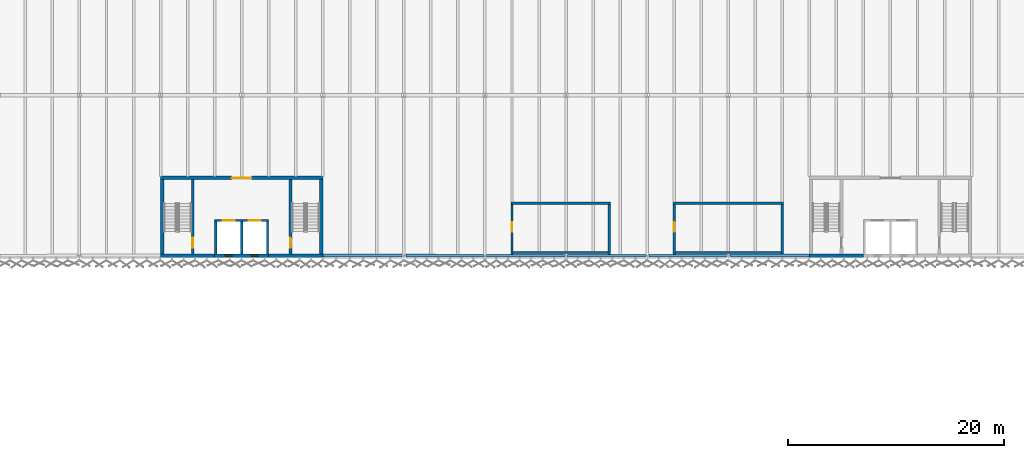
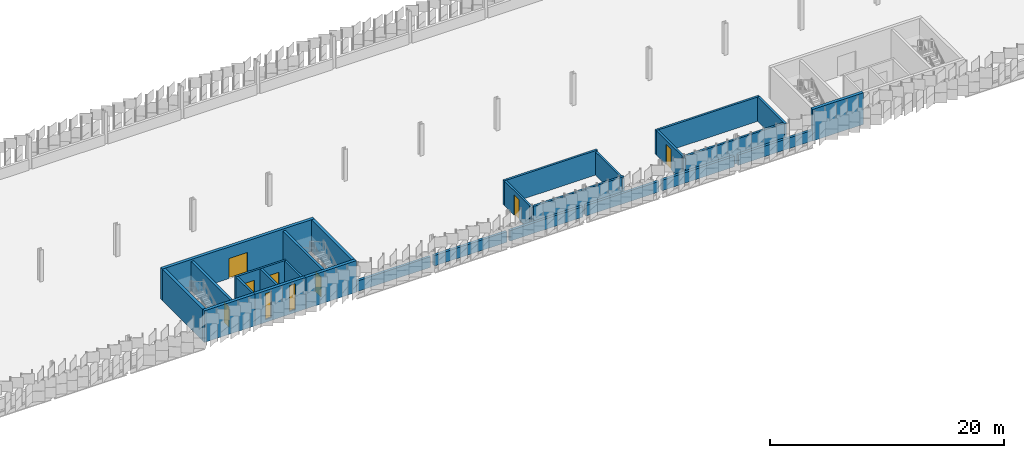
# One storey, part 50 of 198: 27 walls, 7 doors, 2 windows, 9 openings.
"""IFC4 building model written with IfcOpenShell, lengths in metres."""

from ifc_helpers import new_model, si_unit, direction, frame, frame_2d, origin, place, context, subcontext, project, spatial, rectangle, extrude, material, layer, layer_set, type_object, element, fill, save


model = new_model("IFC4")

# Units and contexts
model_context = context("Model", 3, precision=1e-05, world=origin(), true_north=direction((0.0, 1.0)))
body_context = subcontext(model_context, "Body", "Model", "MODEL_VIEW")
ifc_project = project(units=[si_unit("LENGTHUNIT", "METRE"), si_unit("AREAUNIT", "SQUARE_METRE"), si_unit("VOLUMEUNIT", "CUBIC_METRE"), si_unit("PLANEANGLEUNIT", "RADIAN"), si_unit("MASSUNIT", "GRAM", prefix="KILO")], contexts=[model_context])

# Site, building, storey
site_placement = place(None, origin())
site = spatial("IfcSite", under=ifc_project, at=site_placement, CompositionType="ELEMENT")
building_placement = place(site_placement, origin())
building = spatial("IfcBuilding", under=site, at=building_placement, Name="Parallax Yard Mobility Hub", CompositionType="ELEMENT")
storey_placement = place(building_placement, frame((0.0, 0.0, 6.60009765625)))
storey = spatial("IfcBuildingStorey", under=building, at=storey_placement, Name="L02", CompositionType="ELEMENT", Elevation=6.60009765625)

# Wall, opening, door
ifc_material_1 = material(Name="Concrete fc' 35 MPa", Category="concrete")
ifc_layer_1 = layer(ifc_material_1, 0.300048828125)
ifc_layer_set_1 = layer_set([ifc_layer_1], Name="Concrete fc' 35 MPa core wall 300")
wall_type_1 = type_object("IfcWallType", Name="Concrete fc' 35 MPa core wall 300", PredefinedType="SHEAR", material=ifc_layer_set_1)
wall_1_placement = place(storey_placement, frame((67.5, 119.85009765625, 0.0), z_axis=(0.0, 0.0, 1.0), x_axis=(1.0, 0.0, 0.0)))
wall_1 = element("IfcWall", 1, at=wall_1_placement, inside=storey, type_object=wall_type_1, Name="Core C-N1 entry wall level L02", PredefinedType="SHEAR", context=body_context, shape_type="SweptSolid", body=[
    extrude(rectangle(XDim=15.0, YDim=0.300048828125, at=frame_2d((7.5, 0.0))), origin(), (0.0, 0.0, 1.0), 3.2998046875),
])
opening_1_placement = place(wall_1_placement, frame((6.60009765625, 0.0, 0.0)))
opening_1 = element("IfcOpeningElement", 2, at=opening_1_placement, cuts=wall_1, Name="Opening L02-D709", PredefinedType="OPENING", context=body_context, shape_type="SweptSolid", body=[
    extrude(rectangle(XDim=1.800048828125, YDim=2.10009765625, at=frame_2d((0.89990234375, 1.050048828125))), frame((0.0, 0.16015625, 0.0), z_axis=(0.0, -1.0, 0.0), x_axis=(1.0, 0.0, 0.0)), (0.0, 0.0, 1.0), 0.320068359375),
])
ifc_material_2 = material(Name="Hollow metal steel door and frame", Category="steel")
door_type_1 = type_object("IfcDoorType", Name="Core double door 1800 x 2100 FD90", OperationType="NOTDEFINED", PredefinedType="DOOR", material=ifc_material_2)
door_1_placement = place(opening_1_placement, origin())
door_1 = element("IfcDoor", 3, at=door_1_placement, inside=storey, type_object=door_type_1, Name="Lift lobby door L02-D709, core C-N1 level L02", OperationType="DOUBLE_DOOR_SINGLE_SWING", OverallHeight=2.10009765625, OverallWidth=1.800048828125, PredefinedType="DOOR", context=body_context, shape_type="SweptSolid", body=[
    extrude(rectangle(XDim=1.800048828125, YDim=2.10009765625, at=frame_2d((0.89990234375, 1.050048828125))), frame((0.0, 0.02490234375, 0.0), z_axis=(0.0, -1.0, 0.0), x_axis=(1.0, 0.0, 0.0)), (0.0, 0.0, 1.0), 0.050048828125),
])
fill(opening_1, door_1)

# Wall
wall_2_placement = place(storey_placement, frame((82.5, 112.64990234375, 0.0), z_axis=(0.0, 0.0, 1.0), x_axis=(-1.0, 0.0, 0.0)))
element("IfcWall", 4, at=wall_2_placement, inside=storey, type_object=wall_type_1, Name="Core C-N1 back wall part 1 level L02", PredefinedType="SHEAR", context=body_context, shape_type="SweptSolid", body=[
    extrude(rectangle(XDim=5.0, YDim=0.300048828125, at=frame_2d((2.5, 0.0))), origin(), (0.0, 0.0, 1.0), 3.2998046875),
])

# Wall, openings, windows
wall_3_placement = place(storey_placement, frame((77.5, 112.64990234375, 0.0), z_axis=(0.0, 0.0, 1.0), x_axis=(-1.0, 0.0, 0.0)))
wall_3 = element("IfcWall", 5, at=wall_3_placement, inside=storey, type_object=wall_type_1, Name="Core C-N1 back wall part 2 level L02", PredefinedType="SHEAR", context=body_context, shape_type="SweptSolid", body=[
    extrude(rectangle(XDim=5.0, YDim=0.300048828125, at=frame_2d((2.5, 0.0))), origin(), (0.0, 0.0, 1.0), 3.2998046875),
])
opening_2_placement = place(wall_3_placement, frame((1.0, 0.0, 0.300048828125)))
opening_2 = element("IfcOpeningElement", 6, at=opening_2_placement, cuts=wall_3, Name="Opening CW-S1", PredefinedType="OPENING", context=body_context, shape_type="SweptSolid", body=[
    extrude(rectangle(XDim=0.60009765625, YDim=2.699951171875, at=frame_2d((0.300048828125, 1.35009765625))), frame((0.0, 0.16015625, 0.0), z_axis=(0.0, -1.0, 0.0), x_axis=(1.0, 0.0, 0.0)), (0.0, 0.0, 1.0), 0.320068359375),
])
opening_3_placement = place(wall_3_placement, frame((3.39990234375, 0.0, 0.300048828125)))
opening_3 = element("IfcOpeningElement", 7, at=opening_3_placement, cuts=wall_3, Name="Opening CW-S1", PredefinedType="OPENING", context=body_context, shape_type="SweptSolid", body=[
    extrude(rectangle(XDim=0.60009765625, YDim=2.699951171875, at=frame_2d((0.300048828125, 1.35009765625))), frame((0.0, 0.16015625, 0.0), z_axis=(0.0, -1.0, 0.0), x_axis=(1.0, 0.0, 0.0)), (0.0, 0.0, 1.0), 0.320068359375),
])
ifc_material_3 = material(Name="Fire-resisting glazing in a steel frame", Category="steel")
window_type = type_object("IfcWindowType", Name="Core slot window 600 x 2700", PartitioningType="SINGLE_PANEL", PredefinedType="WINDOW", material=ifc_material_3)
window_1_placement = place(opening_2_placement, origin())
window_1 = element("IfcWindow", 8, at=window_1_placement, inside=storey, type_object=window_type, Name="Glazed slot 1, core C-N1 level L02", OverallHeight=2.699951171875, OverallWidth=0.60009765625, PartitioningType="SINGLE_PANEL", PredefinedType="WINDOW", context=body_context, shape_type="SweptSolid", body=[
    extrude(rectangle(XDim=0.60009765625, YDim=2.699951171875, at=frame_2d((0.300048828125, 1.35009765625))), frame((0.0, 0.030029296875, 0.0), z_axis=(0.0, -1.0, 0.0), x_axis=(1.0, 0.0, 0.0)), (0.0, 0.0, 1.0), 0.06005859375),
])
fill(opening_2, window_1)
window_2_placement = place(opening_3_placement, origin())
window_2 = element("IfcWindow", 9, at=window_2_placement, inside=storey, type_object=window_type, Name="Glazed slot 2, core C-N1 level L02", OverallHeight=2.699951171875, OverallWidth=0.60009765625, PartitioningType="SINGLE_PANEL", PredefinedType="WINDOW", context=body_context, shape_type="SweptSolid", body=[
    extrude(rectangle(XDim=0.60009765625, YDim=2.699951171875, at=frame_2d((0.300048828125, 1.35009765625))), frame((0.0, 0.030029296875, 0.0), z_axis=(0.0, -1.0, 0.0), x_axis=(1.0, 0.0, 0.0)), (0.0, 0.0, 1.0), 0.06005859375),
])
fill(opening_3, window_2)

# Walls
wall_4_placement = place(storey_placement, frame((72.5, 112.64990234375, 0.0), z_axis=(0.0, 0.0, 1.0), x_axis=(-1.0, 0.0, 0.0)))
element("IfcWall", 10, at=wall_4_placement, inside=storey, type_object=wall_type_1, Name="Core C-N1 back wall part 3 level L02", PredefinedType="SHEAR", context=body_context, shape_type="SweptSolid", body=[
    extrude(rectangle(XDim=5.0, YDim=0.300048828125, at=frame_2d((2.5, 0.0))), origin(), (0.0, 0.0, 1.0), 3.2998046875),
])
for number, where, z_axis, x_axis, name in (
    (11, (82.35009765625, 119.699951171875, 0.0), (0.0, 0.0, 1.0), (0.0, -1.0, 0.0), "Core C-N1 west-side end wall level L02"),
    (12, (67.64990234375, 119.699951171875, 0.0), (0.0, 0.0, 1.0), (0.0, -1.0, 0.0), "Core C-N1 east-side end wall level L02"),
):
    element("IfcWall", number, at=place(storey_placement, frame(where, z_axis=z_axis, x_axis=x_axis)), inside=storey, type_object=wall_type_1, Name=name, PredefinedType="SHEAR", context=body_context, shape_type="SweptSolid", body=[
        extrude(rectangle(XDim=6.89990234375, YDim=0.300048828125, at=frame_2d((3.449951171875, 0.0))), origin(), (0.0, 0.0, 1.0), 3.2998046875),
    ])
wall_5_placement = place(storey_placement, frame((132.5, 112.64990234375, 0.0), z_axis=(0.0, 0.0, 1.0), x_axis=(-1.0, 0.0, 0.0)))
element("IfcWall", 13, at=wall_5_placement, inside=storey, type_object=wall_type_1, Name="Core C-N2 back wall part 3 level L02", PredefinedType="SHEAR", context=body_context, shape_type="SweptSolid", body=[
    extrude(rectangle(XDim=5.0, YDim=0.300048828125, at=frame_2d((2.5, 0.0))), origin(), (0.0, 0.0, 1.0), 3.2998046875),
])

# Wall, openings, doors
ifc_layer_2 = layer(ifc_material_1, 0.199951171875)
ifc_layer_set_2 = layer_set([ifc_layer_2], Name="Concrete fc' 35 MPa internal core wall 200")
wall_type_2 = type_object("IfcWallType", Name="Concrete fc' 35 MPa internal core wall 200", PredefinedType="STANDARD", material=ifc_layer_set_2)
wall_6_placement = place(storey_placement, frame((77.5, 115.89990234375, 0.0), z_axis=(0.0, 0.0, 1.0), x_axis=(-1.0, 0.0, 0.0)))
wall_6 = element("IfcWall", 14, at=wall_6_placement, inside=storey, type_object=wall_type_2, Name="Core C-N1 lift front 2 part 2 level L02", PredefinedType="STANDARD", context=body_context, shape_type="SweptSolid", body=[
    extrude(rectangle(XDim=5.0, YDim=0.199951171875, at=frame_2d((2.5, 0.0))), origin(), (0.0, 0.0, 1.0), 3.099853515625),
])
opening_4_placement = place(wall_6_placement, frame((0.75, 0.0, 0.0)))
opening_4 = element("IfcOpeningElement", 15, at=opening_4_placement, cuts=wall_6, Name="Opening L02-D712", PredefinedType="OPENING", context=body_context, shape_type="SweptSolid", body=[
    extrude(rectangle(XDim=1.10009765625, YDim=2.10009765625, at=frame_2d((0.550048828125, 1.050048828125))), frame((0.0, 0.10986328125, 0.0), z_axis=(0.0, -1.0, 0.0), x_axis=(1.0, 0.0, 0.0)), (0.0, 0.0, 1.0), 0.219970703125),
])
opening_5_placement = place(wall_6_placement, frame((3.14990234375, 0.0, 0.0)))
opening_5 = element("IfcOpeningElement", 16, at=opening_5_placement, cuts=wall_6, Name="Opening L02-D713", PredefinedType="OPENING", context=body_context, shape_type="SweptSolid", body=[
    extrude(rectangle(XDim=1.10009765625, YDim=2.10009765625, at=frame_2d((0.550048828125, 1.050048828125))), frame((0.0, 0.10986328125, 0.0), z_axis=(0.0, -1.0, 0.0), x_axis=(1.0, 0.0, 0.0)), (0.0, 0.0, 1.0), 0.219970703125),
])
ifc_material_4 = material(Name="Stainless steel sliding door and frame", Category="steel")
door_type_2 = type_object("IfcDoorType", Name="Lift landing door 1100 x 2100 FD90", OperationType="DOUBLE_DOOR_SLIDING", PredefinedType="DOOR", material=ifc_material_4)
door_2_placement = place(opening_4_placement, origin())
door_2 = element("IfcDoor", 17, at=door_2_placement, inside=storey, type_object=door_type_2, Name="Lift landing door L02-D712, core C-N1 level L02", OperationType="DOUBLE_DOOR_SLIDING", OverallHeight=2.10009765625, OverallWidth=1.10009765625, PredefinedType="DOOR", context=body_context, shape_type="SweptSolid", body=[
    extrude(rectangle(XDim=1.10009765625, YDim=2.10009765625, at=frame_2d((0.550048828125, 1.050048828125))), frame((0.0, 0.02490234375, 0.0), z_axis=(0.0, -1.0, 0.0), x_axis=(1.0, 0.0, 0.0)), (0.0, 0.0, 1.0), 0.050048828125),
])
fill(opening_4, door_2)
door_3_placement = place(opening_5_placement, origin())
door_3 = element("IfcDoor", 18, at=door_3_placement, inside=storey, type_object=door_type_2, Name="Lift landing door L02-D713, core C-N1 level L02", OperationType="DOUBLE_DOOR_SLIDING", OverallHeight=2.10009765625, OverallWidth=1.10009765625, PredefinedType="DOOR", context=body_context, shape_type="SweptSolid", body=[
    extrude(rectangle(XDim=1.10009765625, YDim=2.10009765625, at=frame_2d((0.550048828125, 1.050048828125))), frame((0.0, 0.02490234375, 0.0), z_axis=(0.0, -1.0, 0.0), x_axis=(1.0, 0.0, 0.0)), (0.0, 0.0, 1.0), 0.050048828125),
])
fill(opening_5, door_3)

# Walls
for number, where, z_axis, x_axis, name in (
    (19, (77.39990234375, 115.800048828125, 0.0), (0.0, 0.0, 1.0), (0.0, -1.0, 0.0), "Core C-N1 lift wall 1 part 1 level L02"),
    (20, (75.0, 115.800048828125, 0.0), (0.0, 0.0, 1.0), (0.0, -1.0, 0.0), "Core C-N1 lift wall 2 part 2 level L02"),
    (21, (72.60009765625, 115.800048828125, 0.0), (0.0, 0.0, 1.0), (0.0, -1.0, 0.0), "Core C-N1 lift wall 3 part 3 level L02"),
):
    element("IfcWall", number, at=place(storey_placement, frame(where, z_axis=z_axis, x_axis=x_axis)), inside=storey, type_object=wall_type_2, Name=name, PredefinedType="STANDARD", context=body_context, shape_type="SweptSolid", body=[
        extrude(rectangle(XDim=3.0, YDim=0.199951171875, at=frame_2d((1.5, 0.0))), origin(), (0.0, 0.0, 1.0), 3.099853515625),
    ])

# Wall, opening, door
ifc_layer_3 = layer(ifc_material_1, 0.25)
ifc_layer_set_3 = layer_set([ifc_layer_3], Name="Concrete fc' 35 MPa stair enclosure wall 250")
wall_type_3 = type_object("IfcWallType", Name="Concrete fc' 35 MPa stair enclosure wall 250", PredefinedType="STANDARD", material=ifc_layer_set_3)
wall_7_placement = place(storey_placement, frame((79.52490234375, 119.699951171875, 0.0), z_axis=(0.0, 0.0, 1.0), x_axis=(0.0, -1.0, 0.0)))
wall_7 = element("IfcWall", 22, at=wall_7_placement, inside=storey, type_object=wall_type_3, Name="Core C-N1 stair 1 partition level L02", PredefinedType="STANDARD", context=body_context, shape_type="SweptSolid", body=[
    extrude(rectangle(XDim=6.89990234375, YDim=0.25, at=frame_2d((3.449951171875, 0.0))), origin(), (0.0, 0.0, 1.0), 3.099853515625),
])
opening_6_placement = place(wall_7_placement, frame((5.39990234375, 0.0, 0.0)))
opening_6 = element("IfcOpeningElement", 23, at=opening_6_placement, cuts=wall_7, Name="Opening L02-D710", PredefinedType="OPENING", context=body_context, shape_type="SweptSolid", body=[
    extrude(rectangle(XDim=0.89990234375, YDim=2.10009765625, at=frame_2d((0.449951171875, 1.050048828125))), frame((0.0, 0.135009765625, 0.0), z_axis=(0.0, -1.0, 0.0), x_axis=(1.0, 0.0, 0.0)), (0.0, 0.0, 1.0), 0.27001953125),
])
door_type_3 = type_object("IfcDoorType", Name="Core door 900 x 2100 FD90", OperationType="NOTDEFINED", PredefinedType="DOOR", material=ifc_material_2)
door_4_placement = place(opening_6_placement, origin())
door_4 = element("IfcDoor", 24, at=door_4_placement, inside=storey, type_object=door_type_3, Name="Stair lobby door L02-D710, core C-N1 level L02", OperationType="SINGLE_SWING_LEFT", OverallHeight=2.10009765625, OverallWidth=0.89990234375, PredefinedType="DOOR", context=body_context, shape_type="SweptSolid", body=[
    extrude(rectangle(XDim=0.89990234375, YDim=2.10009765625, at=frame_2d((0.449951171875, 1.050048828125))), frame((0.0, 0.02490234375, 0.0), z_axis=(0.0, -1.0, 0.0), x_axis=(1.0, 0.0, 0.0)), (0.0, 0.0, 1.0), 0.050048828125),
])
fill(opening_6, door_4)

wall_8_placement = place(storey_placement, frame((70.47509765625, 112.800048828125, 0.0), z_axis=(0.0, 0.0, 1.0), x_axis=(0.0, 1.0, 0.0)))
wall_8 = element("IfcWall", 25, at=wall_8_placement, inside=storey, type_object=wall_type_3, Name="Core C-N1 stair 2 partition level L02", PredefinedType="STANDARD", context=body_context, shape_type="SweptSolid", body=[
    extrude(rectangle(XDim=6.89990234375, YDim=0.25, at=frame_2d((3.449951171875, 0.0))), origin(), (0.0, 0.0, 1.0), 3.099853515625),
])
opening_7_placement = place(wall_8_placement, frame((0.60009765625, 0.0, 0.0)))
opening_7 = element("IfcOpeningElement", 26, at=opening_7_placement, cuts=wall_8, Name="Opening L02-D711", PredefinedType="OPENING", context=body_context, shape_type="SweptSolid", body=[
    extrude(rectangle(XDim=0.89990234375, YDim=2.10009765625, at=frame_2d((0.449951171875, 1.050048828125))), frame((0.0, 0.135009765625, 0.0), z_axis=(0.0, -1.0, 0.0), x_axis=(1.0, 0.0, 0.0)), (0.0, 0.0, 1.0), 0.27001953125),
])
door_5_placement = place(opening_7_placement, origin())
door_5 = element("IfcDoor", 27, at=door_5_placement, inside=storey, type_object=door_type_3, Name="Stair lobby door L02-D711, core C-N1 level L02", OperationType="SINGLE_SWING_RIGHT", OverallHeight=2.10009765625, OverallWidth=0.89990234375, PredefinedType="DOOR", context=body_context, shape_type="SweptSolid", body=[
    extrude(rectangle(XDim=0.89990234375, YDim=2.10009765625, at=frame_2d((0.449951171875, 1.050048828125))), frame((0.0, 0.02490234375, 0.0), z_axis=(0.0, -1.0, 0.0), x_axis=(1.0, 0.0, 0.0)), (0.0, 0.0, 1.0), 0.050048828125),
])
fill(opening_7, door_5)

# Walls
ifc_layer_4 = layer(ifc_material_1, 0.25)
ifc_layer_set_4 = layer_set([ifc_layer_4], Name="Deck-edge barrier wall, Concrete fc' 35 MPa precast, 250")
wall_type_4 = type_object("IfcWallType", Name="Deck-edge barrier wall, Concrete fc' 35 MPa precast, 250", PredefinedType="SOLIDWALL", material=ifc_layer_set_4)
wall_9_placement = place(storey_placement, frame((82.5048828125, 112.672119140625, 0.0), z_axis=(0.0, 0.0, 1.0), x_axis=(1.0, 0.0, 0.0)))
element("IfcWall", 28, at=wall_9_placement, inside=storey, type_object=wall_type_4, Name="Deck-edge barrier wall bay 7 level L02", PredefinedType="SOLIDWALL", context=body_context, shape_type="SweptSolid", body=[
    extrude(rectangle(XDim=7.3095703125, YDim=0.25, at=frame_2d((3.65478515625, 0.0))), origin(), (0.0, 0.0, 1.0), 1.099853515625),
])
wall_10_placement = place(storey_placement, frame((90.185546875, 112.672119140625, 0.0), z_axis=(0.0, 0.0, 1.0), x_axis=(0.999993224794, -0.003681082119, 0.0)))
element("IfcWall", 29, at=wall_10_placement, inside=storey, type_object=wall_type_4, Name="Deck-edge barrier wall bay 8 level L02", PredefinedType="SOLIDWALL", context=body_context, shape_type="SweptSolid", body=[
    extrude(rectangle(XDim=7.162841796875, YDim=0.25, at=frame_2d((3.58154296875, 0.0))), origin(), (0.0, 0.0, 1.0), 1.099853515625),
])
for number, where, z_axis, x_axis, name in (
    (30, (97.651611328125, 112.645751953125, 0.0), (0.0, 0.0, 1.0), (1.0, 0.0, 0.0), "Deck-edge barrier wall bay 9 level L02"),
    (31, (105.151611328125, 112.645751953125, 0.0), (0.0, 0.0, 1.0), (1.0, 0.0, 0.0), "Deck-edge barrier wall bay 10 level L02"),
):
    element("IfcWall", number, at=place(storey_placement, frame(where, z_axis=z_axis, x_axis=x_axis)), inside=storey, type_object=wall_type_4, Name=name, PredefinedType="SOLIDWALL", context=body_context, shape_type="SweptSolid", body=[
        extrude(rectangle(XDim=7.19677734375, YDim=0.25, at=frame_2d((3.598388671875, 0.0))), origin(), (0.0, 0.0, 1.0), 1.099853515625),
    ])
wall_11_placement = place(storey_placement, frame((112.651611328125, 112.645751953125, 0.0), z_axis=(0.0, 0.0, 1.0), x_axis=(0.999993224794, 0.003681082119, 0.0)))
element("IfcWall", 32, at=wall_11_placement, inside=storey, type_object=wall_type_4, Name="Deck-edge barrier wall bay 11 level L02", PredefinedType="SOLIDWALL", context=body_context, shape_type="SweptSolid", body=[
    extrude(rectangle(XDim=7.162841796875, YDim=0.25, at=frame_2d((3.58154296875, 0.0))), origin(), (0.0, 0.0, 1.0), 1.099853515625),
])
wall_12_placement = place(storey_placement, frame((120.185546875, 112.672119140625, 0.0), z_axis=(0.0, 0.0, 1.0), x_axis=(1.0, 0.0, 0.0)))
element("IfcWall", 33, at=wall_12_placement, inside=storey, type_object=wall_type_4, Name="Deck-edge barrier wall bay 12 level L02", PredefinedType="SOLIDWALL", context=body_context, shape_type="SweptSolid", body=[
    extrude(rectangle(XDim=7.3095703125, YDim=0.25, at=frame_2d((3.65478515625, 0.0))), origin(), (0.0, 0.0, 1.0), 1.099853515625),
])
ifc_material_5 = material(Name="Fire-rated plasterboard partition, two layers each side")
ifc_layer_5 = layer(ifc_material_5, 0.199951171875)
ifc_layer_set_5 = layer_set([ifc_layer_5], Name="Fire-rated partition 200 mm")
wall_type_5 = type_object("IfcWallType", Name="Fire-rated partition 200 mm", PredefinedType="PARTITIONING", material=ifc_layer_set_5)
wall_13_placement = place(storey_placement, frame((99.89990234375, 112.949951171875, 0.0), z_axis=(0.0, 0.0, 1.0), x_axis=(1.0, 0.0, 0.0)))
element("IfcWall", 34, at=wall_13_placement, inside=storey, type_object=wall_type_5, Name="Partition 24 level L02", PredefinedType="PARTITIONING", context=body_context, shape_type="SweptSolid", body=[
    extrude(rectangle(XDim=9.2001953125, YDim=0.199951171875, at=frame_2d((4.60009765625, 0.0))), origin(), (0.0, 0.0, 1.0), 2.5478515625),
])
wall_14_placement = place(storey_placement, frame((114.89990234375, 112.949951171875, 0.0), z_axis=(0.0, 0.0, 1.0), x_axis=(1.0, 0.0, 0.0)))
element("IfcWall", 35, at=wall_14_placement, inside=storey, type_object=wall_type_5, Name="Partition 25 level L02", PredefinedType="PARTITIONING", context=body_context, shape_type="SweptSolid", body=[
    extrude(rectangle(XDim=10.2001953125, YDim=0.199951171875, at=frame_2d((5.10009765625, 0.0))), origin(), (0.0, 0.0, 1.0), 2.5478515625),
])
wall_15_placement = place(storey_placement, frame((99.89990234375, 117.5, 0.0), z_axis=(0.0, 0.0, 1.0), x_axis=(1.0, 0.0, 0.0)))
element("IfcWall", 36, at=wall_15_placement, inside=storey, type_object=wall_type_5, Name="Partition 26 level L02", PredefinedType="PARTITIONING", context=body_context, shape_type="SweptSolid", body=[
    extrude(rectangle(XDim=9.2001953125, YDim=0.199951171875, at=frame_2d((4.60009765625, 0.0))), origin(), (0.0, 0.0, 1.0), 2.5478515625),
])
wall_16_placement = place(storey_placement, frame((114.89990234375, 117.5, 0.0), z_axis=(0.0, 0.0, 1.0), x_axis=(1.0, 0.0, 0.0)))
element("IfcWall", 37, at=wall_16_placement, inside=storey, type_object=wall_type_5, Name="Partition 27 level L02", PredefinedType="PARTITIONING", context=body_context, shape_type="SweptSolid", body=[
    extrude(rectangle(XDim=10.2001953125, YDim=0.199951171875, at=frame_2d((5.10009765625, 0.0))), origin(), (0.0, 0.0, 1.0), 2.5478515625),
])

# Wall, opening, door
wall_17_placement = place(storey_placement, frame((100.0, 112.770751953125, 0.0), z_axis=(0.0, 0.0, 1.0), x_axis=(0.0, 1.0, 0.0)))
wall_17 = element("IfcWall", 38, at=wall_17_placement, inside=storey, type_object=wall_type_5, Name="Partition 34 level L02", PredefinedType="PARTITIONING", context=body_context, shape_type="SweptSolid", body=[
    extrude(rectangle(XDim=4.629150390625, YDim=0.199951171875, at=frame_2d((2.314453125, 0.0))), origin(), (0.0, 0.0, 1.0), 2.557861328125),
])
opening_8_placement = place(wall_17_placement, frame((2.0791015625, 0.0, 0.0)))
opening_8 = element("IfcOpeningElement", 39, at=opening_8_placement, cuts=wall_17, Name="Opening L02-D218", PredefinedType="OPENING", context=body_context, shape_type="SweptSolid", body=[
    extrude(rectangle(XDim=0.89990234375, YDim=2.10009765625, at=frame_2d((0.449951171875, 1.050048828125))), frame((0.0, 0.10986328125, 0.0), z_axis=(0.0, -1.0, 0.0), x_axis=(1.0, 0.0, 0.0)), (0.0, 0.0, 1.0), 0.219970703125),
])
ifc_material_6 = material(Name="Hollow metal fire door leaf with intumescent seals")
door_type_4 = type_object("IfcDoorType", Name="Fire door 900 mm FD60", OperationType="NOTDEFINED", PredefinedType="DOOR", material=ifc_material_6)
door_6_placement = place(opening_8_placement, origin())
door_6 = element("IfcDoor", 40, at=door_6_placement, inside=storey, type_object=door_type_4, Name="Door L02-D218 Attendant Office", OperationType="SINGLE_SWING_RIGHT", OverallHeight=2.10009765625, OverallWidth=0.89990234375, PredefinedType="DOOR", context=body_context, shape_type="SweptSolid", body=[
    extrude(rectangle(XDim=0.89990234375, YDim=2.10009765625, at=frame_2d((0.449951171875, 1.050048828125))), frame((0.0, 0.02490234375, 0.0), z_axis=(0.0, -1.0, 0.0), x_axis=(1.0, 0.0, 0.0)), (0.0, 0.0, 1.0), 0.050048828125),
])
fill(opening_8, door_6)

# Wall
wall_18_placement = place(storey_placement, frame((109.0, 112.770751953125, 0.0), z_axis=(0.0, 0.0, 1.0), x_axis=(0.0, 1.0, 0.0)))
element("IfcWall", 41, at=wall_18_placement, inside=storey, type_object=wall_type_5, Name="Partition 35 level L02", PredefinedType="PARTITIONING", context=body_context, shape_type="SweptSolid", body=[
    extrude(rectangle(XDim=4.629150390625, YDim=0.199951171875, at=frame_2d((2.314453125, 0.0))), origin(), (0.0, 0.0, 1.0), 2.409912109375),
])

# Wall, opening, door
wall_19_placement = place(storey_placement, frame((115.0, 112.779296875, 0.0), z_axis=(0.0, 0.0, 1.0), x_axis=(0.0, 1.0, 0.0)))
wall_19 = element("IfcWall", 42, at=wall_19_placement, inside=storey, type_object=wall_type_5, Name="Partition 37 level L02", PredefinedType="PARTITIONING", context=body_context, shape_type="SweptSolid", body=[
    extrude(rectangle(XDim=4.62060546875, YDim=0.199951171875, at=frame_2d((2.310302734375, 0.0))), origin(), (0.0, 0.0, 1.0), 2.557861328125),
])
opening_9_placement = place(wall_19_placement, frame((2.070556640625, 0.0, 0.0)))
opening_9 = element("IfcOpeningElement", 43, at=opening_9_placement, cuts=wall_19, Name="Opening L02-D219", PredefinedType="OPENING", context=body_context, shape_type="SweptSolid", body=[
    extrude(rectangle(XDim=0.89990234375, YDim=2.10009765625, at=frame_2d((0.449951171875, 1.050048828125))), frame((0.0, 0.10986328125, 0.0), z_axis=(0.0, -1.0, 0.0), x_axis=(1.0, 0.0, 0.0)), (0.0, 0.0, 1.0), 0.219970703125),
])
door_7_placement = place(opening_9_placement, origin())
door_7 = element("IfcDoor", 44, at=door_7_placement, inside=storey, type_object=door_type_4, Name="Door L02-D219 Electrical Room", OperationType="SINGLE_SWING_RIGHT", OverallHeight=2.10009765625, OverallWidth=0.89990234375, PredefinedType="DOOR", context=body_context, shape_type="SweptSolid", body=[
    extrude(rectangle(XDim=0.89990234375, YDim=2.10009765625, at=frame_2d((0.449951171875, 1.050048828125))), frame((0.0, 0.02490234375, 0.0), z_axis=(0.0, -1.0, 0.0), x_axis=(1.0, 0.0, 0.0)), (0.0, 0.0, 1.0), 0.050048828125),
])
fill(opening_9, door_7)

# Wall
wall_20_placement = place(storey_placement, frame((125.0, 112.797119140625, 0.0), z_axis=(0.0, 0.0, 1.0), x_axis=(0.0, 1.0, 0.0)))
element("IfcWall", 45, at=wall_20_placement, inside=storey, type_object=wall_type_5, Name="Partition 42 level L02", PredefinedType="PARTITIONING", context=body_context, shape_type="SweptSolid", body=[
    extrude(rectangle(XDim=4.602783203125, YDim=0.199951171875, at=frame_2d((2.30126953125, 0.0))), origin(), (0.0, 0.0, 1.0), 2.557861328125),
])

save(model, "model.ifc")
